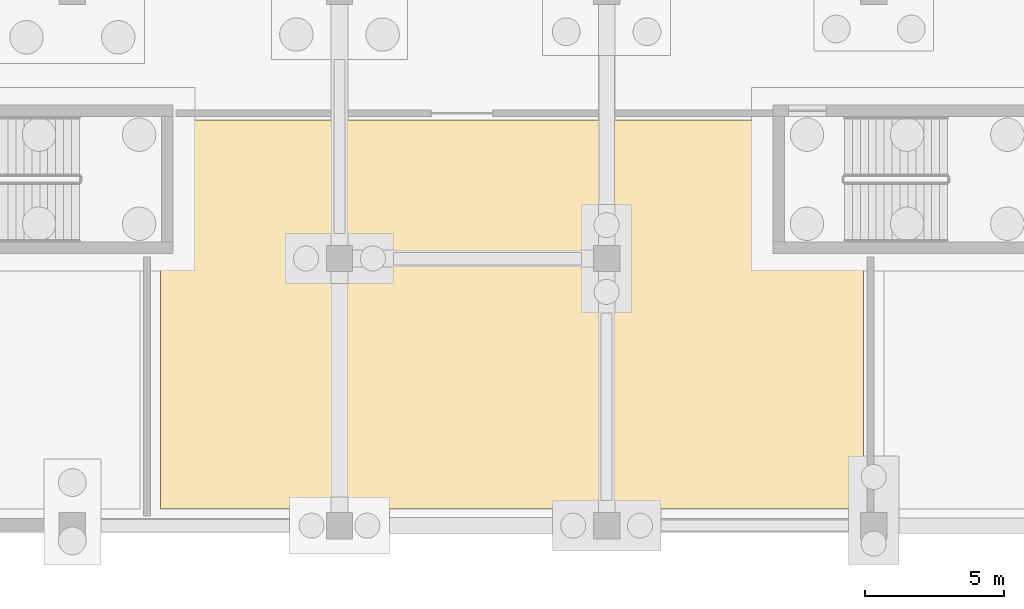
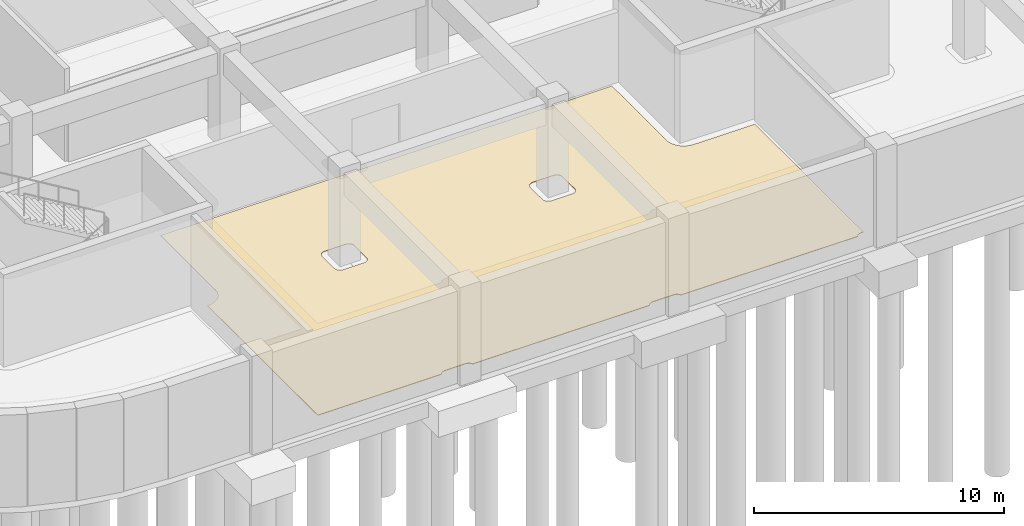
# One storey, part 23 of 47: 1 covering.
"""IFC4 building model written with IfcOpenShell, lengths in metres."""

import ifcopenshell
import ifcopenshell.guid

model = None  # the IFC model being written
_history = None  # IfcOwnerHistory: only IFC2X3 demands one
_inside = {}  # id of a spatial element -> (the spatial element, [elements in it])
_under = {}  # id of a project, library or spatial element -> (it, [spatial elements below it])
_declared = {}  # id of a project -> (the project, [libraries it declares])
_typed = {}  # id of a type object -> (the type object, [elements of that type])
_made_of = {}  # id of a material, layer set ... -> (it, [elements and type objects made of it])


def new_model(schema):
    """Start an empty IFC model of exactly this schema.

    Asked for "IFC4X3", IfcOpenShell would pick the latest addendum, in which some entities
    have other attributes; the version numbers below select the first issue.
    IFC2X3 requires an IfcOwnerHistory on every rooted entity: one is made here for all.
    """
    global model, _history
    if schema == "IFC4X3":
        model = ifcopenshell.file(schema_version=(4, 3, 0, 0))
    else:
        model = ifcopenshell.file(schema=schema)
    _inside.clear()
    _under.clear()
    _declared.clear()
    _typed.clear()
    _made_of.clear()
    _history = None
    if model.schema == "IFC2X3":
        org = make("IfcOrganization", Name="unknown")
        user = make(
            "IfcPersonAndOrganization",
            ThePerson=make("IfcPerson", FamilyName="unknown"),
            TheOrganization=org,
        )
        app = make(
            "IfcApplication",
            ApplicationDeveloper=org,
            Version="unknown",
            ApplicationFullName="unknown",
            ApplicationIdentifier="unknown",
        )
        _history = make(
            "IfcOwnerHistory",
            OwningUser=user,
            OwningApplication=app,
            ChangeAction="ADDED",
            CreationDate=0,
        )
    return model


def make(cls, **values):
    """One entity of the class cls with the attributes given. An attribute that is None is left unset."""
    return model.create_entity(
        cls, **{name: value for name, value in values.items() if value is not None}
    )


def rooted(cls, **values):
    """An entity with a GlobalId (a new one), such as an element, a storey or a relation."""
    return make(cls, GlobalId=ifcopenshell.guid.new(), OwnerHistory=_history, **values)


def si_unit(unit_type, name, prefix=None):
    """IfcSIUnit, for example si_unit("LENGTHUNIT", "METRE", prefix="MILLI")."""
    return make("IfcSIUnit", UnitType=unit_type, Prefix=prefix, Name=name)


def assignment(units):
    """IfcUnitAssignment: the units of a project."""
    return None if units is None else make("IfcUnitAssignment", Units=units)


def point(xyz):
    """IfcCartesianPoint."""
    return None if xyz is None else make("IfcCartesianPoint", Coordinates=xyz)


def direction(xyz):
    """IfcDirection."""
    return None if xyz is None else make("IfcDirection", DirectionRatios=xyz)


def frame(location, z_axis=None, x_axis=None):
    """IfcAxis2Placement3D, a coordinate frame: its origin and axes. An axis left out is left unset."""
    return make(
        "IfcAxis2Placement3D",
        Location=point(location),
        Axis=direction(z_axis),
        RefDirection=direction(x_axis),
    )


def origin():
    """The frame at (0, 0, 0) with its axes left unset."""
    return frame((0.0, 0.0, 0.0))


def place(relative_to, where):
    """IfcLocalPlacement: puts the frame where relative to a parent placement (None: the world)."""
    return make(
        "IfcLocalPlacement", PlacementRelTo=relative_to, RelativePlacement=where
    )


def context(
    kind, dimensions, precision=None, world=None, true_north=None, identifier=None
):
    """IfcGeometricRepresentationContext, for example the 3D "Model" context."""
    return make(
        "IfcGeometricRepresentationContext",
        ContextIdentifier=identifier,
        ContextType=kind,
        CoordinateSpaceDimension=dimensions,
        Precision=precision,
        WorldCoordinateSystem=world,
        TrueNorth=true_north,
    )


def subcontext(parent, identifier, kind, view, scale=None):
    """IfcGeometricRepresentationSubContext, for example "Body" below "Model"."""
    return make(
        "IfcGeometricRepresentationSubContext",
        ContextIdentifier=identifier,
        ContextType=kind,
        ParentContext=parent,
        TargetScale=scale,
        TargetView=view,
    )


def project(units=None, contexts=None):
    """IfcProject with its units and contexts."""
    return rooted(
        "IfcProject",
        Name="project",
        RepresentationContexts=contexts,
        UnitsInContext=assignment(units),
    )


def spatial(cls, under=None, at=None, **own):
    """A site, building, storey or space (cls), placed at a placement, below another one or the project."""
    s = rooted(cls, ObjectPlacement=at, **own)
    if under is not None:
        _under.setdefault(under.id(), (under, []))[1].append(s)
    return s


def polyline(points):
    """IfcPolyline through the points."""
    return make("IfcPolyline", Points=[point(p) for p in points])


def outline(outer, holes=None, kind="AREA"):
    """IfcArbitraryClosedProfileDef: a profile drawn as a closed curve; with holes, ...WithVoids."""
    if holes is None:
        return make("IfcArbitraryClosedProfileDef", ProfileType=kind, OuterCurve=outer)
    return make(
        "IfcArbitraryProfileDefWithVoids",
        ProfileType=kind,
        OuterCurve=outer,
        InnerCurves=holes,
    )


def extrude(swept, where, along, depth):
    """IfcExtrudedAreaSolid: the profile swept, set in the frame where, extruded along a direction by depth."""
    return make(
        "IfcExtrudedAreaSolid",
        SweptArea=swept,
        Position=where,
        ExtrudedDirection=direction(along),
        Depth=depth,
    )


def shape(context_of_items, identifier, shape_type, items):
    """IfcShapeRepresentation: the items that make up one representation, for example the "Body"."""
    return make(
        "IfcShapeRepresentation",
        ContextOfItems=context_of_items,
        RepresentationIdentifier=identifier,
        RepresentationType=shape_type,
        Items=items,
    )


def material(Name=None, Category=None):
    """IfcMaterial."""
    return make("IfcMaterial", Name=Name, Category=Category)


def layer(
    of_material, thickness, ventilated=None, Name=None, Category=None, Priority=None
):
    """IfcMaterialLayer: one layer of a wall or slab, of a material (None: an air gap)."""
    return make(
        "IfcMaterialLayer",
        Material=of_material,
        LayerThickness=thickness,
        IsVentilated=ventilated,
        Name=Name,
        Category=Category,
        Priority=Priority,
    )


def layer_set(layers, Name=None):
    """IfcMaterialLayerSet."""
    return make("IfcMaterialLayerSet", MaterialLayers=layers, LayerSetName=Name)


def made_of(thing, what):
    """Note that an element or type object is made of a material, layer set ...; save() writes the relation."""
    if what is not None:
        _made_of.setdefault(what.id(), (what, []))[1].append(thing)
    return thing


def type_object(cls, material=None, **own):
    """A type object (cls), such as IfcWallType, which elements share."""
    return made_of(rooted(cls, **own), material)


def element(
    cls,
    number,
    at=None,
    inside=None,
    cuts=None,
    type_object=None,
    material=None,
    context=None,
    identifier="Body",
    shape_type=None,
    held_by="IfcProductDefinitionShape",
    body=None,
    shapes=None,
    **own,
):
    """One element of the class cls, such as IfcWall. Its Tag is "e" and its number.

    at: its placement. inside: the storey or other place that contains it. cuts: it is an
    opening in that element (IfcRelVoidsElement). A single representation is given by context,
    identifier, shape_type and body (its items); several are given by shapes. held_by: the class
    of the entity that holds the representations. save() writes the other relations.
    """
    e = rooted(cls, Tag="e%d" % number, ObjectPlacement=at, **own)
    if body is not None:
        shapes = [shape(context, identifier, shape_type, body)]
    if shapes is not None:
        e.Representation = make(held_by, Representations=shapes)
    if inside is not None:
        _inside.setdefault(inside.id(), (inside, []))[1].append(e)
    if cuts is not None:
        rooted(
            "IfcRelVoidsElement", RelatingBuildingElement=cuts, RelatedOpeningElement=e
        )
    if type_object is not None:
        _typed.setdefault(type_object.id(), (type_object, []))[1].append(e)
    return made_of(e, material)


def aggregate(whole, parts):
    """IfcRelAggregates: a whole, such as a stair, and the parts it consists of."""
    return rooted("IfcRelAggregates", RelatingObject=whole, RelatedObjects=parts)


def save(model, path):
    """Write the relations noted so far, then the file.

    IfcRelAggregates (storeys below a building ...), IfcRelContainedInSpatialStructure (elements
    in a storey), IfcRelDefinesByType, IfcRelAssociatesMaterial and IfcRelDeclares: one each for
    every whole, place, type object, material and project.
    """
    for whole, parts in _under.values():
        aggregate(whole, parts)
    for where, things in _inside.values():
        rooted(
            "IfcRelContainedInSpatialStructure",
            RelatedElements=things,
            RelatingStructure=where,
        )
    for kind, things in _typed.values():
        rooted("IfcRelDefinesByType", RelatedObjects=things, RelatingType=kind)
    for what, things in _made_of.values():
        rooted("IfcRelAssociatesMaterial", RelatedObjects=things, RelatingMaterial=what)
    for by, libraries in _declared.values():
        rooted("IfcRelDeclares", RelatingContext=by, RelatedDefinitions=libraries)
    model.write(path)


model = new_model("IFC4")

# Units and contexts
model_context = context("Model", 3, precision=1e-05, world=origin(), true_north=direction((0.0, 1.0)))
body_context = subcontext(model_context, "Body", "Model", "MODEL_VIEW")
ifc_project = project(units=[si_unit("LENGTHUNIT", "METRE"), si_unit("AREAUNIT", "SQUARE_METRE"), si_unit("VOLUMEUNIT", "CUBIC_METRE"), si_unit("PLANEANGLEUNIT", "RADIAN"), si_unit("MASSUNIT", "GRAM", prefix="KILO")], contexts=[model_context])

# Site, building, storey
site_placement = place(None, origin())
site = spatial("IfcSite", under=ifc_project, at=site_placement, CompositionType="ELEMENT")
building_placement = place(site_placement, origin())
building = spatial("IfcBuilding", under=site, at=building_placement, Name="Cendralis Terraced Arcade", CompositionType="ELEMENT")
storey_placement = place(building_placement, frame((0.0, 0.0, -4.800048828125)))
storey = spatial("IfcBuildingStorey", under=building, at=storey_placement, Name="B1", CompositionType="ELEMENT", Elevation=-4.800048828125)

# Covering
ifc_material = material(Name="Polished Bogota limestone terrazzo flooring", Category="masonry")
ifc_layer = layer(ifc_material, 0.030029296875, Name="COV-FLR-TERZ-30")
ifc_layer_set = layer_set([ifc_layer], Name="Polished Bogota limestone terrazzo flooring")
covering_type = type_object("IfcCoveringType", Name="COV-FLR-TERZ-30", PredefinedType="FLOORING", material=ifc_layer_set)
covering_placement = place(storey_placement, origin())
element("IfcCovering", 1, at=covering_placement, inside=storey, type_object=covering_type, Name="Interior Finish Flooring B1-002", PredefinedType="FLOORING", context=body_context, shape_type="SweptSolid", body=[
    extrude(outline(polyline([(22.39990234375, 9.409912109375), (22.406005859375, 9.41015625), (22.412109375, 9.41015625), (22.418212890625, 9.410400390625), (22.459228515625, 9.41259765625), (22.4716796875, 9.413330078125), (22.4833984375, 9.41455078125), (22.49560546875, 9.416015625), (22.5361328125, 9.422119140625), (22.54833984375, 9.42431640625), (22.559814453125, 9.426513671875), (22.57177734375, 9.42919921875), (22.61181640625, 9.439208984375), (22.62353515625, 9.4423828125), (22.635009765625, 9.44580078125), (22.646484375, 9.44970703125), (22.685302734375, 9.463623046875), (22.69677734375, 9.468017578125), (22.707763671875, 9.472412109375), (22.718994140625, 9.4775390625), (22.756103515625, 9.4951171875), (22.76708984375, 9.50048828125), (22.777587890625, 9.506103515625), (22.7880859375, 9.51220703125), (22.823486328125, 9.533447265625), (22.833984375, 9.5400390625), (22.84375, 9.54638671875), (22.853759765625, 9.5537109375), (22.886962890625, 9.578125), (22.896484375, 9.585693359375), (22.905517578125, 9.59326171875), (22.914794921875, 9.601318359375), (22.945556640625, 9.62890625), (22.954345703125, 9.63720703125), (22.962646484375, 9.645751953125), (22.97119140625, 9.654541015625), (22.998779296875, 9.68505859375), (23.0068359375, 9.6943359375), (23.014404296875, 9.70361328125), (23.02197265625, 9.713134765625), (23.04638671875, 9.746337890625), (23.053466796875, 9.75634765625), (23.06005859375, 9.76611328125), (23.066650390625, 9.7763671875), (23.087890625, 9.811767578125), (23.09375, 9.822509765625), (23.099365234375, 9.8330078125), (23.10498046875, 9.84375), (23.12255859375, 9.881103515625), (23.12744140625, 9.892333984375), (23.132080078125, 9.9033203125), (23.136474609375, 9.91455078125), (23.150390625, 9.953369140625), (23.154052734375, 9.965087890625), (23.15771484375, 9.976318359375), (23.160888671875, 9.98828125), (23.1708984375, 10.0283203125), (23.173583984375, 10.0400390625), (23.17578125, 10.0517578125), (23.177978515625, 10.063720703125), (23.18408203125, 10.1044921875), (23.185546875, 10.11669921875), (23.1865234375, 10.12841796875), (23.1875, 10.140625), (23.189697265625, 10.181884765625), (23.189697265625, 10.18798828125), (23.18994140625, 10.19384765625), (23.18994140625, 10.199951171875), (23.18994140625, 14.570068359375), (44.010009765625, 14.570068359375), (44.010009765625, 10.199951171875), (44.010009765625, 10.19384765625), (44.01025390625, 10.18798828125), (44.010498046875, 10.181884765625), (44.012451171875, 10.140625), (44.013427734375, 10.12841796875), (44.014404296875, 10.11669921875), (44.01611328125, 10.1044921875), (44.022216796875, 10.063720703125), (44.024169921875, 10.0517578125), (44.026611328125, 10.0400390625), (44.029296875, 10.0283203125), (44.039306640625, 9.98828125), (44.04248046875, 9.976318359375), (44.0458984375, 9.965087890625), (44.0498046875, 9.953369140625), (44.063720703125, 9.91455078125), (44.068115234375, 9.9033203125), (44.072509765625, 9.892333984375), (44.077392578125, 9.881103515625), (44.09521484375, 9.84375), (44.1005859375, 9.8330078125), (44.106201171875, 9.822509765625), (44.1123046875, 9.811767578125), (44.13330078125, 9.7763671875), (44.139892578125, 9.76611328125), (44.146484375, 9.75634765625), (44.153564453125, 9.746337890625), (44.177978515625, 9.713134765625), (44.185791015625, 9.70361328125), (44.193115234375, 9.6943359375), (44.201171875, 9.68505859375), (44.22900390625, 9.654541015625), (44.2373046875, 9.645751953125), (44.24560546875, 9.63720703125), (44.25439453125, 9.62890625), (44.28515625, 9.601318359375), (44.29443359375, 9.59326171875), (44.303466796875, 9.585693359375), (44.31298828125, 9.578125), (44.34619140625, 9.5537109375), (44.356201171875, 9.54638671875), (44.3662109375, 9.5400390625), (44.37646484375, 9.533447265625), (44.411865234375, 9.51220703125), (44.422607421875, 9.506103515625), (44.432861328125, 9.50048828125), (44.44384765625, 9.4951171875), (44.481201171875, 9.4775390625), (44.4921875, 9.472412109375), (44.503173828125, 9.468017578125), (44.5146484375, 9.463623046875), (44.553466796875, 9.44970703125), (44.565185546875, 9.44580078125), (44.576416015625, 9.4423828125), (44.588134765625, 9.439208984375), (44.628173828125, 9.42919921875), (44.64013671875, 9.426513671875), (44.651611328125, 9.42431640625), (44.663818359375, 9.422119140625), (44.70458984375, 9.416015625), (44.716796875, 9.41455078125), (44.728515625, 9.413330078125), (44.74072265625, 9.41259765625), (44.78173828125, 9.410400390625), (44.7880859375, 9.41015625), (44.7939453125, 9.41015625), (44.800048828125, 9.409912109375), (47.6298828125, 9.409912109375), (47.6298828125, 0.7451171875), (47.52490234375, 0.7451171875), (47.5126953125, 0.74462890625), (47.5107421875, 0.74462890625), (47.486328125, 0.7421875), (47.484375, 0.741943359375), (47.46044921875, 0.737060546875), (47.45849609375, 0.736572265625), (47.43505859375, 0.7294921875), (47.43310546875, 0.72900390625), (47.410400390625, 0.719482421875), (47.40869140625, 0.718505859375), (47.386962890625, 0.70703125), (47.385498046875, 0.7060546875), (47.364990234375, 0.6923828125), (47.36328125, 0.69140625), (47.344482421875, 0.67578125), (47.343017578125, 0.67431640625), (47.32568359375, 0.656982421875), (47.32421875, 0.655517578125), (47.30859375, 0.63671875), (47.3076171875, 0.635009765625), (47.2939453125, 0.614501953125), (47.29296875, 0.613037109375), (47.281494140625, 0.59130859375), (47.28076171875, 0.590087890625), (39.119384765625, 0.590087890625), (39.11865234375, 0.59130859375), (39.107177734375, 0.613037109375), (39.106201171875, 0.614501953125), (39.09228515625, 0.635009765625), (39.09130859375, 0.63671875), (39.07568359375, 0.655517578125), (39.074462890625, 0.656982421875), (39.056884765625, 0.67431640625), (39.0556640625, 0.67578125), (39.03662109375, 0.69140625), (39.034912109375, 0.6923828125), (39.0146484375, 0.7060546875), (39.012939453125, 0.70703125), (38.9912109375, 0.718505859375), (38.989501953125, 0.719482421875), (38.966796875, 0.72900390625), (38.965087890625, 0.7294921875), (38.941650390625, 0.736572265625), (38.939697265625, 0.737060546875), (38.91552734375, 0.741943359375), (38.91357421875, 0.7421875), (38.88916015625, 0.74462890625), (38.88720703125, 0.74462890625), (38.875, 0.7451171875), (37.925048828125, 0.7451171875), (37.91259765625, 0.74462890625), (37.910888671875, 0.74462890625), (37.886474609375, 0.7421875), (37.884521484375, 0.741943359375), (37.8603515625, 0.737060546875), (37.8583984375, 0.736572265625), (37.8349609375, 0.7294921875), (37.8330078125, 0.72900390625), (37.810546875, 0.719482421875), (37.80859375, 0.718505859375), (37.787109375, 0.70703125), (37.785400390625, 0.7060546875), (37.764892578125, 0.6923828125), (37.763427734375, 0.69140625), (37.744384765625, 0.67578125), (37.742919921875, 0.67431640625), (37.7255859375, 0.656982421875), (37.724365234375, 0.655517578125), (37.708740234375, 0.63671875), (37.70751953125, 0.635009765625), (37.69384765625, 0.614501953125), (37.69287109375, 0.613037109375), (37.681396484375, 0.59130859375), (37.6806640625, 0.590087890625), (29.519287109375, 0.590087890625), (29.5185546875, 0.59130859375), (29.507080078125, 0.613037109375), (29.506103515625, 0.614501953125), (29.492431640625, 0.635009765625), (29.4912109375, 0.63671875), (29.4755859375, 0.655517578125), (29.474365234375, 0.656982421875), (29.45703125, 0.67431640625), (29.45556640625, 0.67578125), (29.4365234375, 0.69140625), (29.43505859375, 0.6923828125), (29.41455078125, 0.7060546875), (29.4130859375, 0.70703125), (29.391357421875, 0.718505859375), (29.389404296875, 0.719482421875), (29.366943359375, 0.72900390625), (29.364990234375, 0.7294921875), (29.341552734375, 0.736572265625), (29.339599609375, 0.737060546875), (29.315673828125, 0.741943359375), (29.313720703125, 0.7421875), (29.289306640625, 0.74462890625), (29.287353515625, 0.74462890625), (29.27490234375, 0.7451171875), (28.324951171875, 0.7451171875), (28.312744140625, 0.74462890625), (28.310791015625, 0.74462890625), (28.286376953125, 0.7421875), (28.284423828125, 0.741943359375), (28.260498046875, 0.737060546875), (28.25830078125, 0.736572265625), (28.235107421875, 0.7294921875), (28.233154296875, 0.72900390625), (28.21044921875, 0.719482421875), (28.208740234375, 0.718505859375), (28.18701171875, 0.70703125), (28.185302734375, 0.7060546875), (28.1650390625, 0.6923828125), (28.163330078125, 0.69140625), (28.144287109375, 0.67578125), (28.14306640625, 0.67431640625), (28.12548828125, 0.656982421875), (28.124267578125, 0.655517578125), (28.108642578125, 0.63671875), (28.107666015625, 0.635009765625), (28.093994140625, 0.614501953125), (28.093017578125, 0.613037109375), (28.081298828125, 0.59130859375), (28.080810546875, 0.590087890625), (22.3701171875, 0.590087890625), (22.3701171875, 9.409912109375), (22.39990234375, 9.409912109375)]), holes=[polyline([(37.80859375, 8.88134765625), (37.810546875, 8.880615234375), (37.8330078125, 8.87109375), (37.8349609375, 8.87060546875), (37.8583984375, 8.86328125), (37.8603515625, 8.86279296875), (37.884521484375, 8.858154296875), (37.886474609375, 8.85791015625), (37.910888671875, 8.85546875), (37.91259765625, 8.855224609375), (37.925048828125, 8.85498046875), (38.875, 8.85498046875), (38.88720703125, 8.855224609375), (38.88916015625, 8.85546875), (38.91357421875, 8.85791015625), (38.91552734375, 8.858154296875), (38.939697265625, 8.86279296875), (38.941650390625, 8.86328125), (38.965087890625, 8.87060546875), (38.966796875, 8.87109375), (38.989501953125, 8.880615234375), (38.9912109375, 8.88134765625), (39.012939453125, 8.892822265625), (39.0146484375, 8.893798828125), (39.034912109375, 8.90771484375), (39.03662109375, 8.90869140625), (39.0556640625, 8.92431640625), (39.056884765625, 8.925537109375), (39.074462890625, 8.943115234375), (39.07568359375, 8.9443359375), (39.09130859375, 8.96337890625), (39.09228515625, 8.965087890625), (39.106201171875, 8.9853515625), (39.107177734375, 8.987060546875), (39.11865234375, 9.0087890625), (39.119384765625, 9.010498046875), (39.12890625, 9.033203125), (39.12939453125, 9.034912109375), (39.13671875, 9.058349609375), (39.13720703125, 9.060302734375), (39.141845703125, 9.08447265625), (39.14208984375, 9.08642578125), (39.14453125, 9.11083984375), (39.144775390625, 9.11279296875), (39.14501953125, 9.125), (39.14501953125, 10.074951171875), (39.144775390625, 10.08740234375), (39.14453125, 10.089111328125), (39.14208984375, 10.113525390625), (39.141845703125, 10.115478515625), (39.13720703125, 10.1396484375), (39.13671875, 10.1416015625), (39.12939453125, 10.1650390625), (39.12890625, 10.1669921875), (39.119384765625, 10.189453125), (39.11865234375, 10.19140625), (39.107177734375, 10.212890625), (39.106201171875, 10.214599609375), (39.09228515625, 10.235107421875), (39.09130859375, 10.236572265625), (39.07568359375, 10.255615234375), (39.074462890625, 10.257080078125), (39.056884765625, 10.2744140625), (39.0556640625, 10.275634765625), (39.03662109375, 10.291259765625), (39.034912109375, 10.29248046875), (39.0146484375, 10.30615234375), (39.012939453125, 10.30712890625), (38.9912109375, 10.318603515625), (38.989501953125, 10.319580078125), (38.966796875, 10.328857421875), (38.965087890625, 10.32958984375), (38.941650390625, 10.336669921875), (38.939697265625, 10.337158203125), (38.91552734375, 10.341796875), (38.91357421875, 10.34228515625), (38.88916015625, 10.344482421875), (38.88720703125, 10.3447265625), (38.875, 10.344970703125), (37.925048828125, 10.344970703125), (37.91259765625, 10.3447265625), (37.910888671875, 10.344482421875), (37.886474609375, 10.34228515625), (37.884521484375, 10.341796875), (37.8603515625, 10.337158203125), (37.8583984375, 10.336669921875), (37.8349609375, 10.32958984375), (37.8330078125, 10.328857421875), (37.810546875, 10.319580078125), (37.80859375, 10.318603515625), (37.787109375, 10.30712890625), (37.785400390625, 10.30615234375), (37.764892578125, 10.29248046875), (37.763427734375, 10.291259765625), (37.744384765625, 10.275634765625), (37.742919921875, 10.2744140625), (37.7255859375, 10.257080078125), (37.724365234375, 10.255615234375), (37.708740234375, 10.236572265625), (37.70751953125, 10.235107421875), (37.69384765625, 10.214599609375), (37.69287109375, 10.212890625), (37.681396484375, 10.19140625), (37.680419921875, 10.189453125), (37.671142578125, 10.1669921875), (37.67041015625, 10.1650390625), (37.663330078125, 10.1416015625), (37.662841796875, 10.1396484375), (37.658203125, 10.115478515625), (37.65771484375, 10.113525390625), (37.655517578125, 10.089111328125), (37.6552734375, 10.08740234375), (37.655029296875, 10.074951171875), (37.655029296875, 9.125), (37.6552734375, 9.11279296875), (37.655517578125, 9.11083984375), (37.65771484375, 9.08642578125), (37.658203125, 9.08447265625), (37.662841796875, 9.060302734375), (37.663330078125, 9.058349609375), (37.67041015625, 9.034912109375), (37.671142578125, 9.033203125), (37.680419921875, 9.010498046875), (37.681396484375, 9.0087890625), (37.69287109375, 8.987060546875), (37.69384765625, 8.9853515625), (37.70751953125, 8.965087890625), (37.708740234375, 8.96337890625), (37.724365234375, 8.9443359375), (37.7255859375, 8.943115234375), (37.742919921875, 8.925537109375), (37.744384765625, 8.92431640625), (37.763427734375, 8.90869140625), (37.764892578125, 8.90771484375), (37.785400390625, 8.893798828125), (37.787109375, 8.892822265625), (37.80859375, 8.88134765625)]), polyline([(28.208740234375, 8.88134765625), (28.21044921875, 8.880615234375), (28.233154296875, 8.87109375), (28.235107421875, 8.87060546875), (28.25830078125, 8.86328125), (28.260498046875, 8.86279296875), (28.284423828125, 8.858154296875), (28.286376953125, 8.85791015625), (28.310791015625, 8.85546875), (28.312744140625, 8.855224609375), (28.324951171875, 8.85498046875), (29.27490234375, 8.85498046875), (29.287353515625, 8.855224609375), (29.289306640625, 8.85546875), (29.313720703125, 8.85791015625), (29.315673828125, 8.858154296875), (29.339599609375, 8.86279296875), (29.341552734375, 8.86328125), (29.364990234375, 8.87060546875), (29.366943359375, 8.87109375), (29.389404296875, 8.880615234375), (29.391357421875, 8.88134765625), (29.4130859375, 8.892822265625), (29.41455078125, 8.893798828125), (29.43505859375, 8.90771484375), (29.4365234375, 8.90869140625), (29.45556640625, 8.92431640625), (29.45703125, 8.925537109375), (29.474365234375, 8.943115234375), (29.4755859375, 8.9443359375), (29.4912109375, 8.96337890625), (29.492431640625, 8.965087890625), (29.506103515625, 8.9853515625), (29.507080078125, 8.987060546875), (29.5185546875, 9.0087890625), (29.51953125, 9.010498046875), (29.52880859375, 9.033203125), (29.529541015625, 9.034912109375), (29.53662109375, 9.058349609375), (29.537109375, 9.060302734375), (29.5419921875, 9.08447265625), (29.542236328125, 9.08642578125), (29.544677734375, 9.11083984375), (29.544677734375, 9.11279296875), (29.544921875, 9.125), (29.544921875, 10.074951171875), (29.544677734375, 10.08740234375), (29.544677734375, 10.089111328125), (29.542236328125, 10.113525390625), (29.5419921875, 10.115478515625), (29.537109375, 10.1396484375), (29.53662109375, 10.1416015625), (29.529541015625, 10.1650390625), (29.52880859375, 10.1669921875), (29.51953125, 10.189453125), (29.5185546875, 10.19140625), (29.507080078125, 10.212890625), (29.506103515625, 10.214599609375), (29.492431640625, 10.235107421875), (29.4912109375, 10.236572265625), (29.4755859375, 10.255615234375), (29.474365234375, 10.257080078125), (29.45703125, 10.2744140625), (29.45556640625, 10.275634765625), (29.4365234375, 10.291259765625), (29.43505859375, 10.29248046875), (29.41455078125, 10.30615234375), (29.4130859375, 10.30712890625), (29.391357421875, 10.318603515625), (29.389404296875, 10.319580078125), (29.366943359375, 10.328857421875), (29.364990234375, 10.32958984375), (29.341552734375, 10.336669921875), (29.339599609375, 10.337158203125), (29.315673828125, 10.341796875), (29.313720703125, 10.34228515625), (29.289306640625, 10.344482421875), (29.287353515625, 10.3447265625), (29.27490234375, 10.344970703125), (28.324951171875, 10.344970703125), (28.312744140625, 10.3447265625), (28.310791015625, 10.344482421875), (28.286376953125, 10.34228515625), (28.284423828125, 10.341796875), (28.260498046875, 10.337158203125), (28.25830078125, 10.336669921875), (28.235107421875, 10.32958984375), (28.233154296875, 10.328857421875), (28.21044921875, 10.319580078125), (28.208740234375, 10.318603515625), (28.18701171875, 10.30712890625), (28.185302734375, 10.30615234375), (28.1650390625, 10.29248046875), (28.163330078125, 10.291259765625), (28.144287109375, 10.275634765625), (28.14306640625, 10.2744140625), (28.12548828125, 10.257080078125), (28.124267578125, 10.255615234375), (28.108642578125, 10.236572265625), (28.107666015625, 10.235107421875), (28.093994140625, 10.214599609375), (28.093017578125, 10.212890625), (28.081298828125, 10.19140625), (28.08056640625, 10.189453125), (28.071044921875, 10.1669921875), (28.070556640625, 10.1650390625), (28.0634765625, 10.1416015625), (28.06298828125, 10.1396484375), (28.05810546875, 10.115478515625), (28.057861328125, 10.113525390625), (28.055419921875, 10.089111328125), (28.055419921875, 10.08740234375), (28.054931640625, 10.074951171875), (28.054931640625, 9.125), (28.055419921875, 9.11279296875), (28.055419921875, 9.11083984375), (28.057861328125, 9.08642578125), (28.05810546875, 9.08447265625), (28.06298828125, 9.060302734375), (28.0634765625, 9.058349609375), (28.070556640625, 9.034912109375), (28.071044921875, 9.033203125), (28.08056640625, 9.010498046875), (28.081298828125, 9.0087890625), (28.093017578125, 8.987060546875), (28.093994140625, 8.9853515625), (28.107666015625, 8.965087890625), (28.108642578125, 8.96337890625), (28.124267578125, 8.9443359375), (28.12548828125, 8.943115234375), (28.14306640625, 8.925537109375), (28.144287109375, 8.92431640625), (28.163330078125, 8.90869140625), (28.1650390625, 8.90771484375), (28.185302734375, 8.893798828125), (28.18701171875, 8.892822265625), (28.208740234375, 8.88134765625)])]), origin(), (0.0, 0.0, 1.0), 0.030029296875),
])

save(model, "model.ifc")
